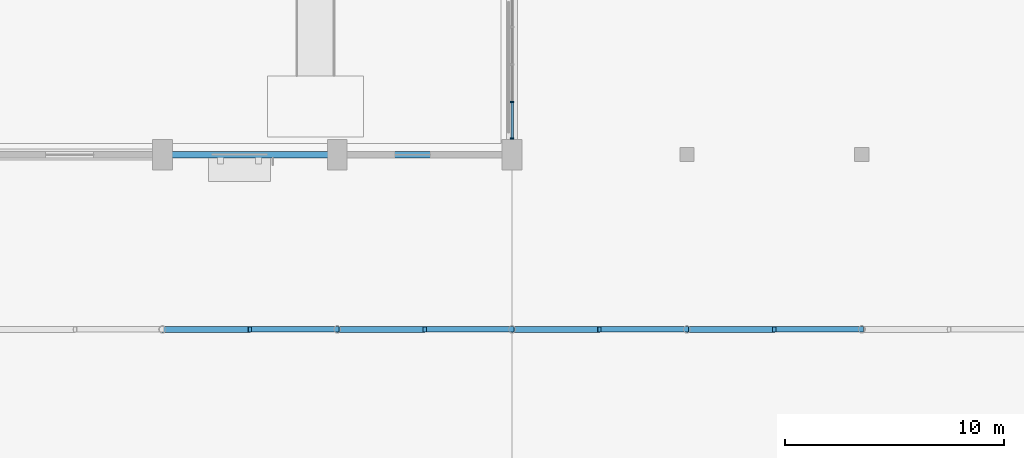
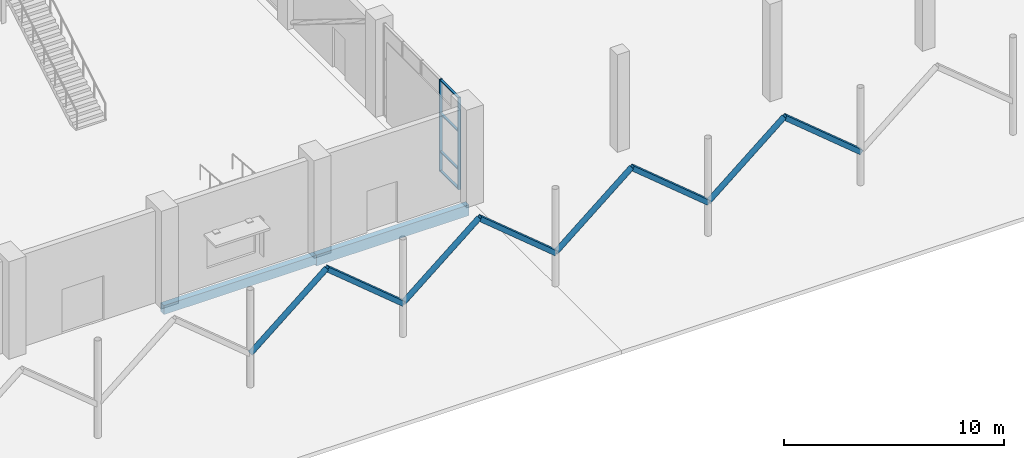
# One storey, part 22 of 123: 14 members, 2 beams, 1 element without a shape of its own.
"""IFC4 building model written with IfcOpenShell, lengths in metres."""

from ifc_helpers import new_model, si_unit, direction, frame, origin, origin_2d, place, context, subcontext, project, spatial, rectangle, hollow_rectangle, hollow_circle, extrude, material, material_profile, profile_set, type_object, element, aggregate, save


model = new_model("IFC4")

# Units and contexts
model_context = context("Model", 3, precision=1e-05, world=origin(), true_north=direction((0.0, 1.0)))
body_context = subcontext(model_context, "Body", "Model", "MODEL_VIEW")
ifc_project = project(units=[si_unit("LENGTHUNIT", "METRE"), si_unit("AREAUNIT", "SQUARE_METRE"), si_unit("VOLUMEUNIT", "CUBIC_METRE"), si_unit("PLANEANGLEUNIT", "RADIAN"), si_unit("MASSUNIT", "GRAM", prefix="KILO")], contexts=[model_context])

# Site, building, storey
site_placement = place(None, origin())
site = spatial("IfcSite", under=ifc_project, at=site_placement, CompositionType="ELEMENT")
building_placement = place(site_placement, origin())
building = spatial("IfcBuilding", under=site, at=building_placement, Name="Tenunan Teduh Sports Hall", CompositionType="ELEMENT")
storey_placement = place(building_placement, origin())
storey = spatial("IfcBuildingStorey", under=building, at=storey_placement, Name="L00", CompositionType="ELEMENT", Elevation=0.0)

# Beams
ifc_material_1 = material(Name="Concrete C40/50", Category="concrete")
ifc_material_profile_1 = material_profile(ifc_material_1, rectangle(XDim=0.300048828125, YDim=0.5, at=origin_2d()), Name="RCB 300x500")
ifc_profile_set_1 = profile_set([ifc_material_profile_1], Name="Concrete C40/50")
beam_type_1 = type_object("IfcBeamType", Name="BM-RC-300x500", PredefinedType="BEAM", material=ifc_profile_set_1)
beam_1_placement = place(storey_placement, frame((38.0, 14.0, -0.570068359375), z_axis=(1.0, 0.0, 0.0), x_axis=(0.0, 1.0, 0.0)))
element("IfcBeam", 1, at=beam_1_placement, inside=storey, type_object=beam_type_1, Name="BM-B-01-L00-0629", PredefinedType="BEAM", context=body_context, shape_type="SweptSolid", body=[
    extrude(rectangle(XDim=0.300048828125, YDim=0.5, at=origin_2d()), origin(), (0.0, 0.0, 1.0), 8.0),
])
ifc_material_2 = material(Name="Concrete C40/50", Category="concrete")
ifc_material_profile_2 = material_profile(ifc_material_2, rectangle(XDim=0.300048828125, YDim=0.60009765625, at=origin_2d()), Name="RCB 300x600")
ifc_profile_set_2 = profile_set([ifc_material_profile_2], Name="Concrete C40/50")
beam_type_2 = type_object("IfcBeamType", Name="BM-RC-300x600", PredefinedType="BEAM", material=ifc_profile_set_2)
beam_2_placement = place(storey_placement, frame((46.0, 14.0, -0.6201171875), z_axis=(1.0, 0.0, 0.0), x_axis=(0.0, 1.0, 0.0)))
element("IfcBeam", 2, at=beam_2_placement, inside=storey, type_object=beam_type_2, Name="BM-B-03-L00-0630", PredefinedType="BEAM", context=body_context, shape_type="SweptSolid", body=[
    extrude(rectangle(XDim=0.300048828125, YDim=0.60009765625, at=origin_2d()), origin(), (0.0, 0.0, 1.0), 8.0),
])

# Curtain wall, members
ifc_material_3 = material(Name="Anodised aluminium", Category="aluminium")
curtain_wall_type = type_object("IfcCurtainWallType", Name="CW-UNIT-2", PredefinedType="NOTDEFINED", material=ifc_material_3)
curtain_wall_placement = place(storey_placement, origin())
curtain_wall = element("IfcCurtainWall", 3, at=curtain_wall_placement, inside=storey, type_object=curtain_wall_type, Name="CW-CWM-150-L00-035", PredefinedType="NOTDEFINED")
ifc_material_4 = material(Name="Anodised aluminium", Category="aluminium")
ifc_material_profile_3 = material_profile(ifc_material_4, rectangle(XDim=0.06005859375, YDim=0.14990234375, at=origin_2d()), Name="CWM 60x150")
ifc_profile_set_3 = profile_set([ifc_material_profile_3], Name="Anodised aluminium")
member_type_1 = type_object("IfcMemberType", Name="CWM-150", PredefinedType="MULLION", material=ifc_profile_set_3)
member_1_placement = place(storey_placement, frame((54.0, 14.72998046875, 0.0), z_axis=(0.0, 0.0, 1.0), x_axis=(0.0, 1.0, 0.0)))
member_1 = element("IfcMember", 4, at=member_1_placement, type_object=member_type_1, Name="CW-02 mullion 1", PredefinedType="MULLION", context=body_context, shape_type="SweptSolid", body=[
    extrude(rectangle(XDim=0.06005859375, YDim=0.14990234375, at=origin_2d()), origin(), (0.0, 0.0, 1.0), 5.10009765625),
])
member_2_placement = place(storey_placement, frame((54.0, 16.41259765625, 0.0), z_axis=(0.0, 0.0, 1.0), x_axis=(0.0, 1.0, 0.0)))
member_2 = element("IfcMember", 5, at=member_2_placement, type_object=member_type_1, Name="CW-02 mullion 2", PredefinedType="MULLION", context=body_context, shape_type="SweptSolid", body=[
    extrude(rectangle(XDim=0.06005859375, YDim=0.14990234375, at=origin_2d()), origin(), (0.0, 0.0, 1.0), 5.10009765625),
])
ifc_material_5 = material(Name="Anodised aluminium", Category="aluminium")
ifc_material_profile_4 = material_profile(ifc_material_5, rectangle(XDim=0.06005859375, YDim=0.1201171875, at=origin_2d()), Name="CWT 60x120")
ifc_profile_set_4 = profile_set([ifc_material_profile_4], Name="Anodised aluminium")
member_type_2 = type_object("IfcMemberType", Name="CWT-125", PredefinedType="USERDEFINED", material=ifc_profile_set_4)
member_3_placement = place(storey_placement, frame((54.0, 14.760009765625, 0.030029296875), z_axis=(0.0, 1.0, 0.0), x_axis=(0.0, 0.0, 1.0)))
member_3 = element("IfcMember", 6, at=member_3_placement, type_object=member_type_2, Name="CW-02 transom 1.1", ObjectType="TRANSOM", PredefinedType="USERDEFINED", context=body_context, shape_type="SweptSolid", body=[
    extrude(rectangle(XDim=0.06005859375, YDim=0.1201171875, at=origin_2d()), origin(), (0.0, 0.0, 1.0), 1.62255859375),
])
member_4_placement = place(storey_placement, frame((54.0, 14.760009765625, 1.10009765625), z_axis=(0.0, 1.0, 0.0), x_axis=(0.0, 0.0, 1.0)))
member_4 = element("IfcMember", 7, at=member_4_placement, type_object=member_type_2, Name="CW-02 transom 1.2", ObjectType="TRANSOM", PredefinedType="USERDEFINED", context=body_context, shape_type="SweptSolid", body=[
    extrude(rectangle(XDim=0.06005859375, YDim=0.1201171875, at=origin_2d()), origin(), (0.0, 0.0, 1.0), 1.62255859375),
])
member_5_placement = place(storey_placement, frame((54.0, 14.760009765625, 3.199951171875), z_axis=(0.0, 1.0, 0.0), x_axis=(0.0, 0.0, 1.0)))
member_5 = element("IfcMember", 8, at=member_5_placement, type_object=member_type_2, Name="CW-02 transom 1.3", ObjectType="TRANSOM", PredefinedType="USERDEFINED", context=body_context, shape_type="SweptSolid", body=[
    extrude(rectangle(XDim=0.06005859375, YDim=0.1201171875, at=origin_2d()), origin(), (0.0, 0.0, 1.0), 1.62255859375),
])
member_6_placement = place(storey_placement, frame((54.0, 14.760009765625, 5.070068359375), z_axis=(0.0, 1.0, 0.0), x_axis=(0.0, 0.0, 1.0)))
member_6 = element("IfcMember", 9, at=member_6_placement, type_object=member_type_2, Name="CW-02 transom 1.4", ObjectType="TRANSOM", PredefinedType="USERDEFINED", context=body_context, shape_type="SweptSolid", body=[
    extrude(rectangle(XDim=0.06005859375, YDim=0.1201171875, at=origin_2d()), origin(), (0.0, 0.0, 1.0), 1.62255859375),
])
aggregate(curtain_wall, [member_1, member_2, member_3, member_4, member_5, member_6])

# Members
ifc_material_6 = material(Name="Steel S355", Category="steel")
ifc_material_profile_5 = material_profile(ifc_material_6, hollow_circle(Radius=0.136474609375, WallThickness=0.010009765625, at=origin_2d()), Name="CHS 273.0x10.0")
ifc_profile_set_5 = profile_set([ifc_material_profile_5], Name="Steel S355")
member_type_3 = type_object("IfcMemberType", Name="MEM-ST-CHS273", PredefinedType="STRUT", material=ifc_profile_set_5)
for number, where, z_axis, x_axis, name in (
    (10, (38.0, 6.0, 1.800048828125), (0.76947477025, 0.0, 0.638677209511), (0.0, 1.0, 0.0), "MEM-VS-04-L00-0950"),
    (11, (46.0, 6.0, 1.800048828125), (0.76947477025, 0.0, 0.638677209511), (0.0, 1.0, 0.0), "MEM-VS-04-L00-0955"),
    (12, (54.0, 6.0, 1.800048828125), (0.76947477025, 0.0, 0.638677209511), (0.0, 1.0, 0.0), "MEM-VS-04-L00-0960"),
    (13, (62.0, 6.0, 1.800048828125), (0.76947477025, 0.0, 0.638677209511), (0.0, 1.0, 0.0), "MEM-VS-04-L00-0965"),
):
    element("IfcMember", number, at=place(storey_placement, frame(where, z_axis=z_axis, x_axis=x_axis)), inside=storey, type_object=member_type_3, Name=name, PredefinedType="STRUT", context=body_context, shape_type="SweptSolid", body=[
        extrude(hollow_circle(Radius=0.136474609375, WallThickness=0.010009765625, at=origin_2d()), origin(), (0.0, 0.0, 1.0), 5.1982421875),
    ])
ifc_material_7 = material(Name="Steel S355", Category="steel")
ifc_material_profile_6 = material_profile(ifc_material_7, hollow_rectangle(XDim=0.25, YDim=0.25, WallThickness=0.012451171875, at=origin_2d()), Name="SHS 250x250x12.5")
ifc_profile_set_6 = profile_set([ifc_material_profile_6], Name="Steel S355")
member_type_4 = type_object("IfcMemberType", Name="MEM-ST-SHS250", PredefinedType="STRUT", material=ifc_profile_set_6)
for number, where, z_axis, x_axis, name in (
    (14, (46.0, 6.0, 1.800048828125), (-0.76947477025, 0.0, 0.638677209511), (0.0, -1.0, 0.0), "MEM-VS-01-L00-0951"),
    (15, (54.0, 6.0, 1.800048828125), (-0.76947477025, 0.0, 0.638677209511), (0.0, -1.0, 0.0), "MEM-VS-01-L00-0956"),
    (16, (62.0, 6.0, 1.800048828125), (-0.76947477025, 0.0, 0.638677209511), (0.0, -1.0, 0.0), "MEM-VS-01-L00-0961"),
    (17, (70.0, 6.0, 1.800048828125), (-0.76947477025, 0.0, 0.638677209511), (0.0, -1.0, 0.0), "MEM-VS-01-L00-0966"),
):
    element("IfcMember", number, at=place(storey_placement, frame(where, z_axis=z_axis, x_axis=x_axis)), inside=storey, type_object=member_type_4, Name=name, PredefinedType="STRUT", context=body_context, shape_type="SweptSolid", body=[
        extrude(hollow_rectangle(XDim=0.25, YDim=0.25, WallThickness=0.012451171875, at=origin_2d()), origin(), (0.0, 0.0, 1.0), 5.1982421875),
    ])

save(model, "model.ifc")
